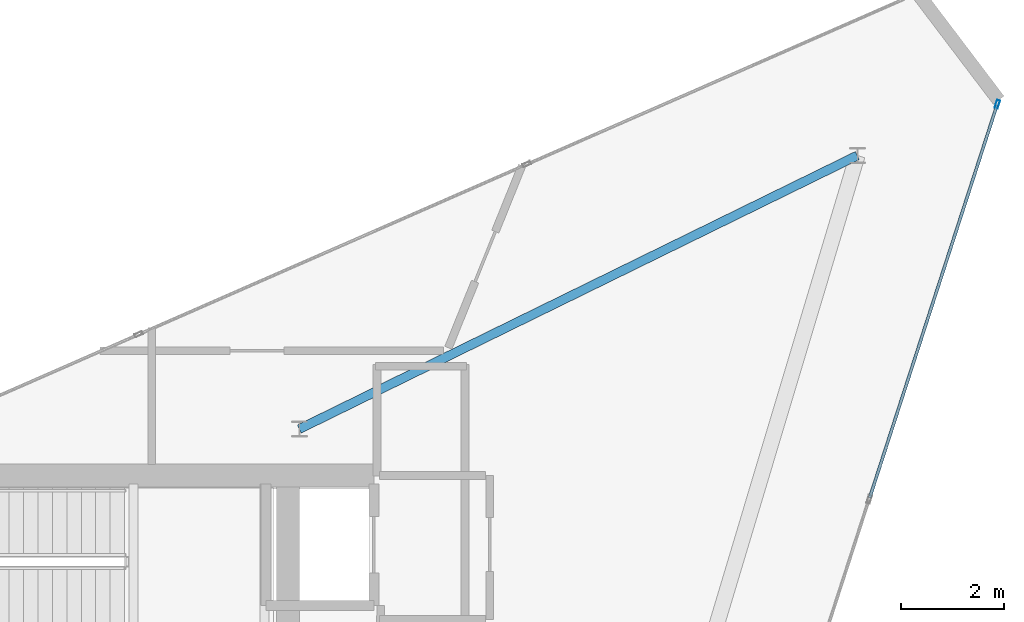
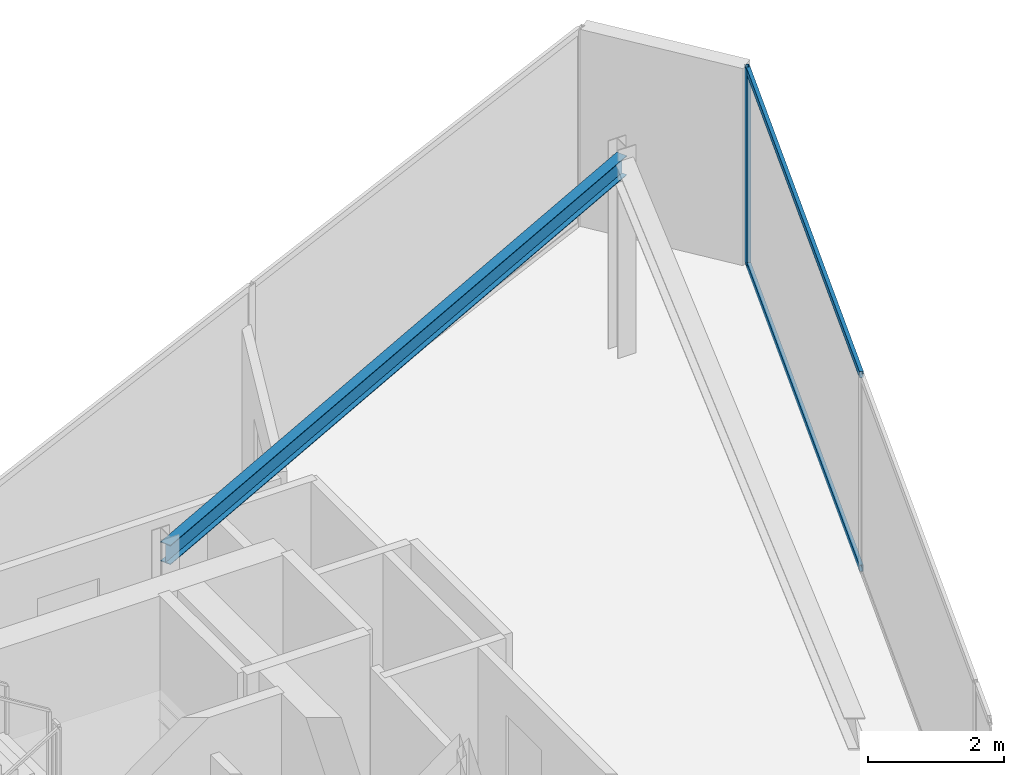
# One storey, part 12 of 16: 3 members, 1 beam, 1 element without a shape of its own.
"""IFC4 building model written with IfcOpenShell, lengths in metres."""

import ifcopenshell
import ifcopenshell.guid

model = None  # the IFC model being written
_history = None  # IfcOwnerHistory: only IFC2X3 demands one
_inside = {}  # id of a spatial element -> (the spatial element, [elements in it])
_under = {}  # id of a project, library or spatial element -> (it, [spatial elements below it])
_declared = {}  # id of a project -> (the project, [libraries it declares])
_typed = {}  # id of a type object -> (the type object, [elements of that type])
_made_of = {}  # id of a material, layer set ... -> (it, [elements and type objects made of it])


def new_model(schema):
    """Start an empty IFC model of exactly this schema.

    Asked for "IFC4X3", IfcOpenShell would pick the latest addendum, in which some entities
    have other attributes; the version numbers below select the first issue.
    IFC2X3 requires an IfcOwnerHistory on every rooted entity: one is made here for all.
    """
    global model, _history
    if schema == "IFC4X3":
        model = ifcopenshell.file(schema_version=(4, 3, 0, 0))
    else:
        model = ifcopenshell.file(schema=schema)
    _inside.clear()
    _under.clear()
    _declared.clear()
    _typed.clear()
    _made_of.clear()
    _history = None
    if model.schema == "IFC2X3":
        org = make("IfcOrganization", Name="unknown")
        user = make(
            "IfcPersonAndOrganization",
            ThePerson=make("IfcPerson", FamilyName="unknown"),
            TheOrganization=org,
        )
        app = make(
            "IfcApplication",
            ApplicationDeveloper=org,
            Version="unknown",
            ApplicationFullName="unknown",
            ApplicationIdentifier="unknown",
        )
        _history = make(
            "IfcOwnerHistory",
            OwningUser=user,
            OwningApplication=app,
            ChangeAction="ADDED",
            CreationDate=0,
        )
    return model


def make(cls, **values):
    """One entity of the class cls with the attributes given. An attribute that is None is left unset."""
    return model.create_entity(
        cls, **{name: value for name, value in values.items() if value is not None}
    )


def rooted(cls, **values):
    """An entity with a GlobalId (a new one), such as an element, a storey or a relation."""
    return make(cls, GlobalId=ifcopenshell.guid.new(), OwnerHistory=_history, **values)


def si_unit(unit_type, name, prefix=None):
    """IfcSIUnit, for example si_unit("LENGTHUNIT", "METRE", prefix="MILLI")."""
    return make("IfcSIUnit", UnitType=unit_type, Prefix=prefix, Name=name)


def assignment(units):
    """IfcUnitAssignment: the units of a project."""
    return None if units is None else make("IfcUnitAssignment", Units=units)


def point(xyz):
    """IfcCartesianPoint."""
    return None if xyz is None else make("IfcCartesianPoint", Coordinates=xyz)


def direction(xyz):
    """IfcDirection."""
    return None if xyz is None else make("IfcDirection", DirectionRatios=xyz)


def frame(location, z_axis=None, x_axis=None):
    """IfcAxis2Placement3D, a coordinate frame: its origin and axes. An axis left out is left unset."""
    return make(
        "IfcAxis2Placement3D",
        Location=point(location),
        Axis=direction(z_axis),
        RefDirection=direction(x_axis),
    )


def frame_2d(location, x_axis=None):
    """IfcAxis2Placement2D, a coordinate frame in the plane: its origin and x axis."""
    return make(
        "IfcAxis2Placement2D", Location=point(location), RefDirection=direction(x_axis)
    )


def origin():
    """The frame at (0, 0, 0) with its axes left unset."""
    return frame((0.0, 0.0, 0.0))


def origin_2d():
    """The frame at (0, 0) in the plane with its x axis left unset."""
    return frame_2d((0.0, 0.0))


def place(relative_to, where):
    """IfcLocalPlacement: puts the frame where relative to a parent placement (None: the world)."""
    return make(
        "IfcLocalPlacement", PlacementRelTo=relative_to, RelativePlacement=where
    )


def context(
    kind, dimensions, precision=None, world=None, true_north=None, identifier=None
):
    """IfcGeometricRepresentationContext, for example the 3D "Model" context."""
    return make(
        "IfcGeometricRepresentationContext",
        ContextIdentifier=identifier,
        ContextType=kind,
        CoordinateSpaceDimension=dimensions,
        Precision=precision,
        WorldCoordinateSystem=world,
        TrueNorth=true_north,
    )


def subcontext(parent, identifier, kind, view, scale=None):
    """IfcGeometricRepresentationSubContext, for example "Body" below "Model"."""
    return make(
        "IfcGeometricRepresentationSubContext",
        ContextIdentifier=identifier,
        ContextType=kind,
        ParentContext=parent,
        TargetScale=scale,
        TargetView=view,
    )


def project(units=None, contexts=None):
    """IfcProject with its units and contexts."""
    return rooted(
        "IfcProject",
        Name="project",
        RepresentationContexts=contexts,
        UnitsInContext=assignment(units),
    )


def spatial(cls, under=None, at=None, **own):
    """A site, building, storey or space (cls), placed at a placement, below another one or the project."""
    s = rooted(cls, ObjectPlacement=at, **own)
    if under is not None:
        _under.setdefault(under.id(), (under, []))[1].append(s)
    return s


def profile(cls, at=None, kind="AREA", **sizes):
    """A parametric profile (cls). Its sizes go by their IFC names, for example OverallWidth=200.0."""
    return make(cls, ProfileType=kind, Position=at, **sizes)


def hollow_rectangle(**sizes):
    """IfcRectangleHollowProfileDef."""
    return profile("IfcRectangleHollowProfileDef", **sizes)


def i_section(**sizes):
    """IfcIShapeProfileDef."""
    return profile("IfcIShapeProfileDef", **sizes)


def extrude(swept, where, along, depth):
    """IfcExtrudedAreaSolid: the profile swept, set in the frame where, extruded along a direction by depth."""
    return make(
        "IfcExtrudedAreaSolid",
        SweptArea=swept,
        Position=where,
        ExtrudedDirection=direction(along),
        Depth=depth,
    )


def shape(context_of_items, identifier, shape_type, items):
    """IfcShapeRepresentation: the items that make up one representation, for example the "Body"."""
    return make(
        "IfcShapeRepresentation",
        ContextOfItems=context_of_items,
        RepresentationIdentifier=identifier,
        RepresentationType=shape_type,
        Items=items,
    )


def material(Name=None, Category=None):
    """IfcMaterial."""
    return make("IfcMaterial", Name=Name, Category=Category)


def layer(
    of_material, thickness, ventilated=None, Name=None, Category=None, Priority=None
):
    """IfcMaterialLayer: one layer of a wall or slab, of a material (None: an air gap)."""
    return make(
        "IfcMaterialLayer",
        Material=of_material,
        LayerThickness=thickness,
        IsVentilated=ventilated,
        Name=Name,
        Category=Category,
        Priority=Priority,
    )


def layer_set(layers, Name=None):
    """IfcMaterialLayerSet."""
    return make("IfcMaterialLayerSet", MaterialLayers=layers, LayerSetName=Name)


def material_profile(
    of_material, cross_section, Name=None, Category=None, Priority=None
):
    """IfcMaterialProfile: a cross section and its material."""
    return make(
        "IfcMaterialProfile",
        Name=Name,
        Material=of_material,
        Profile=cross_section,
        Priority=Priority,
        Category=Category,
    )


def profile_set(profiles, Name=None, composite=None):
    """IfcMaterialProfileSet."""
    return make(
        "IfcMaterialProfileSet",
        Name=Name,
        MaterialProfiles=profiles,
        CompositeProfile=composite,
    )


def made_of(thing, what):
    """Note that an element or type object is made of a material, layer set ...; save() writes the relation."""
    if what is not None:
        _made_of.setdefault(what.id(), (what, []))[1].append(thing)
    return thing


def type_object(cls, material=None, **own):
    """A type object (cls), such as IfcWallType, which elements share."""
    return made_of(rooted(cls, **own), material)


def element(
    cls,
    number,
    at=None,
    inside=None,
    cuts=None,
    type_object=None,
    material=None,
    context=None,
    identifier="Body",
    shape_type=None,
    held_by="IfcProductDefinitionShape",
    body=None,
    shapes=None,
    **own,
):
    """One element of the class cls, such as IfcWall. Its Tag is "e" and its number.

    at: its placement. inside: the storey or other place that contains it. cuts: it is an
    opening in that element (IfcRelVoidsElement). A single representation is given by context,
    identifier, shape_type and body (its items); several are given by shapes. held_by: the class
    of the entity that holds the representations. save() writes the other relations.
    """
    e = rooted(cls, Tag="e%d" % number, ObjectPlacement=at, **own)
    if body is not None:
        shapes = [shape(context, identifier, shape_type, body)]
    if shapes is not None:
        e.Representation = make(held_by, Representations=shapes)
    if inside is not None:
        _inside.setdefault(inside.id(), (inside, []))[1].append(e)
    if cuts is not None:
        rooted(
            "IfcRelVoidsElement", RelatingBuildingElement=cuts, RelatedOpeningElement=e
        )
    if type_object is not None:
        _typed.setdefault(type_object.id(), (type_object, []))[1].append(e)
    return made_of(e, material)


def aggregate(whole, parts):
    """IfcRelAggregates: a whole, such as a stair, and the parts it consists of."""
    return rooted("IfcRelAggregates", RelatingObject=whole, RelatedObjects=parts)


def save(model, path):
    """Write the relations noted so far, then the file.

    IfcRelAggregates (storeys below a building ...), IfcRelContainedInSpatialStructure (elements
    in a storey), IfcRelDefinesByType, IfcRelAssociatesMaterial and IfcRelDeclares: one each for
    every whole, place, type object, material and project.
    """
    for whole, parts in _under.values():
        aggregate(whole, parts)
    for where, things in _inside.values():
        rooted(
            "IfcRelContainedInSpatialStructure",
            RelatedElements=things,
            RelatingStructure=where,
        )
    for kind, things in _typed.values():
        rooted("IfcRelDefinesByType", RelatedObjects=things, RelatingType=kind)
    for what, things in _made_of.values():
        rooted("IfcRelAssociatesMaterial", RelatedObjects=things, RelatingMaterial=what)
    for by, libraries in _declared.values():
        rooted("IfcRelDeclares", RelatingContext=by, RelatedDefinitions=libraries)
    model.write(path)


model = new_model("IFC4")

# Units and contexts
model_context = context("Model", 3, precision=1e-05, world=origin(), true_north=direction((0.0, 1.0)))
body_context = subcontext(model_context, "Body", "Model", "MODEL_VIEW")
ifc_project = project(units=[si_unit("LENGTHUNIT", "METRE"), si_unit("AREAUNIT", "SQUARE_METRE"), si_unit("VOLUMEUNIT", "CUBIC_METRE"), si_unit("PLANEANGLEUNIT", "RADIAN"), si_unit("MASSUNIT", "GRAM", prefix="KILO")], contexts=[model_context])

# Site, building, storey
site_placement = place(None, origin())
site = spatial("IfcSite", under=ifc_project, at=site_placement, CompositionType="ELEMENT")
building_placement = place(site_placement, origin())
building = spatial("IfcBuilding", under=site, at=building_placement, Name="Qianvela Tower", CompositionType="ELEMENT")
storey_placement = place(building_placement, frame((0.0, 0.0, 367.550048828125)))
storey = spatial("IfcBuildingStorey", under=building, at=storey_placement, Name="L95", CompositionType="ELEMENT", Elevation=367.550048828125)

# Beam
ifc_material_1 = material(Name="Steel Q355B", Category="steel")
ifc_material_profile_1 = material_profile(ifc_material_1, i_section(OverallWidth=0.175048828125, OverallDepth=0.35009765625, WebThickness=0.007080078125, FlangeThickness=0.010986328125, at=origin_2d()), Name="HN350x175x7x11")
ifc_profile_set_1 = profile_set([ifc_material_profile_1], Name="Steel Q355B")
beam_type = type_object("IfcBeamType", Name="BM-HN350-JOIST", PredefinedType="JOIST", material=ifc_profile_set_1)
beam_placement = place(storey_placement, frame((38.39990234375, 33.550048828125, 3.373046875), z_axis=(0.897947657455, 0.440102265924, 0.0), x_axis=(-0.440102265924, 0.897947657455, 0.0)))
element("IfcBeam", 1, at=beam_placement, inside=storey, type_object=beam_type, Name="L95 Crown Radial Floor Girder 1", PredefinedType="JOIST", context=body_context, shape_type="SweptSolid", body=[
    extrude(i_section(OverallWidth=0.175048828125, OverallDepth=0.35009765625, WebThickness=0.007080078125, FlangeThickness=0.010986328125, at=origin_2d()), origin(), (0.0, 0.0, 1.0), 12.0810546875),
])

# Curtain wall, members
ifc_material_2 = material(Name="Anodised Architectural Aluminium and Low-E Glass", Category="aluminium")
ifc_layer = layer(ifc_material_2, 0.159912109375)
ifc_layer_set = layer_set([ifc_layer], Name="Anodised Architectural Aluminium and Low-E Glass")
curtain_wall_type = type_object("IfcCurtainWallType", Name="CW-CROWN", PredefinedType="USERDEFINED", material=ifc_layer_set)
curtain_wall_placement = place(storey_placement, origin())
curtain_wall = element("IfcCurtainWall", 2, at=curtain_wall_placement, inside=storey, type_object=curtain_wall_type, Name="L95 CW-CROWN Curtain Wall 06", ObjectType="CURTAIN_WALL_SYSTEM", PredefinedType="USERDEFINED")
ifc_material_3 = material(Name="Anodised Architectural Aluminium 6063-T6", Category="aluminium")
ifc_material_profile_2 = material_profile(ifc_material_3, hollow_rectangle(XDim=0.06494140625, YDim=0.159912109375, WallThickness=0.0048828125, at=origin_2d()), Name="ALU-MULL-65x160")
ifc_profile_set_2 = profile_set([ifc_material_profile_2], Name="Anodised Architectural Aluminium 6063-T6")
member_type_1 = type_object("IfcMemberType", Name="CW-CROWN-MULL", PredefinedType="MULLION", material=ifc_profile_set_2)
member_1_placement = place(storey_placement, frame((51.970458984375, 39.865966796875, 0.0), z_axis=(0.0, 0.0, 1.0), x_axis=(-0.951255578594, 0.30840367085, 0.0)))
member_1 = element("IfcMember", 3, at=member_1_placement, type_object=member_type_1, Name="CW-8 mullion 5", PredefinedType="MULLION", context=body_context, shape_type="SweptSolid", body=[
    extrude(hollow_rectangle(XDim=0.06494140625, YDim=0.159912109375, WallThickness=0.0048828125, at=origin_2d()), origin(), (0.0, 0.0, 1.0), 3.550048828125),
])
ifc_material_4 = material(Name="Anodised Architectural Aluminium 6063-T6", Category="aluminium")
ifc_material_profile_3 = material_profile(ifc_material_4, hollow_rectangle(XDim=0.06005859375, YDim=0.114990234375, WallThickness=0.00390625, at=origin_2d()), Name="ALU-TRAN-60x115")
ifc_profile_set_3 = profile_set([ifc_material_profile_3], Name="Anodised Architectural Aluminium 6063-T6")
member_type_2 = type_object("IfcMemberType", Name="CW-CROWN-TRAN", PredefinedType="USERDEFINED", material=ifc_profile_set_3)
member_2_placement = place(storey_placement, frame((49.489501953125, 32.2138671875, 0.030029296875), z_axis=(0.308418997277, 0.951250609524, 0.0), x_axis=(-0.951250609524, 0.308418997277, 0.0)))
member_2 = element("IfcMember", 4, at=member_2_placement, type_object=member_type_2, Name="CW-8 transom 4.1", ObjectType="TRANSOM", PredefinedType="USERDEFINED", context=body_context, shape_type="SweptSolid", body=[
    extrude(hollow_rectangle(XDim=0.06005859375, YDim=0.114990234375, WallThickness=0.00390625, at=origin_2d()), origin(), (0.0, 0.0, 1.0), 8.01171875),
])
member_3_placement = place(storey_placement, frame((49.489501953125, 32.2138671875, 3.52001953125), z_axis=(0.308418997277, 0.951250609524, 0.0), x_axis=(-0.951250609524, 0.308418997277, 0.0)))
member_3 = element("IfcMember", 5, at=member_3_placement, type_object=member_type_2, Name="CW-8 transom 4.2", ObjectType="TRANSOM", PredefinedType="USERDEFINED", context=body_context, shape_type="SweptSolid", body=[
    extrude(hollow_rectangle(XDim=0.06005859375, YDim=0.114990234375, WallThickness=0.00390625, at=origin_2d()), origin(), (0.0, 0.0, 1.0), 8.01171875),
])
aggregate(curtain_wall, [member_1, member_2, member_3])

save(model, "model.ifc")
